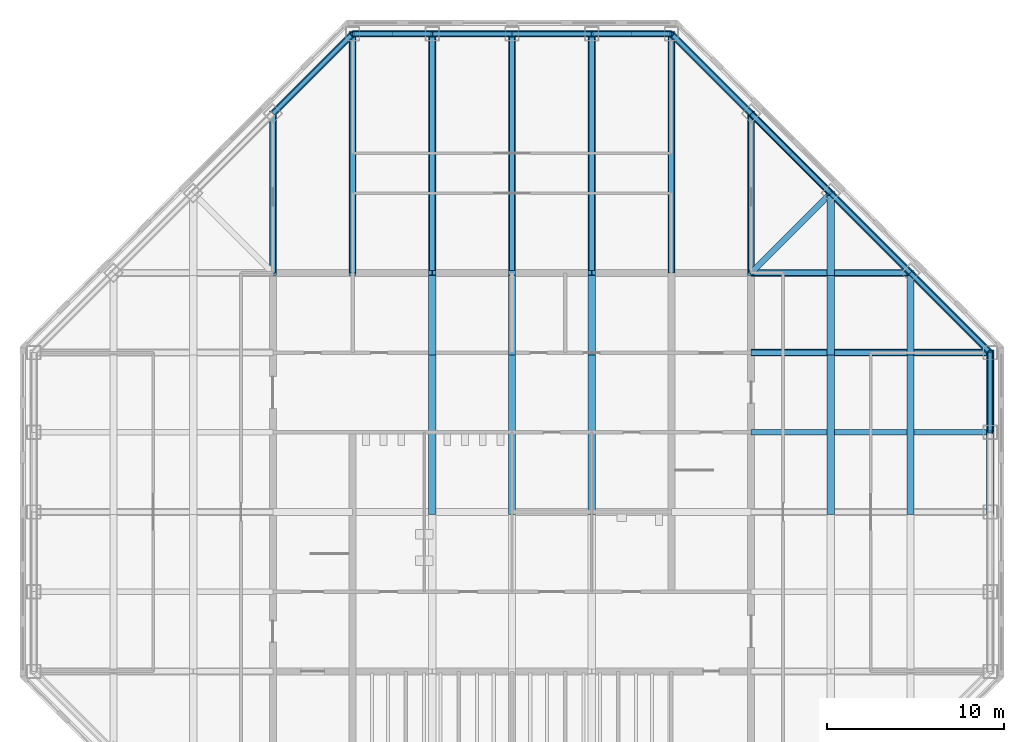
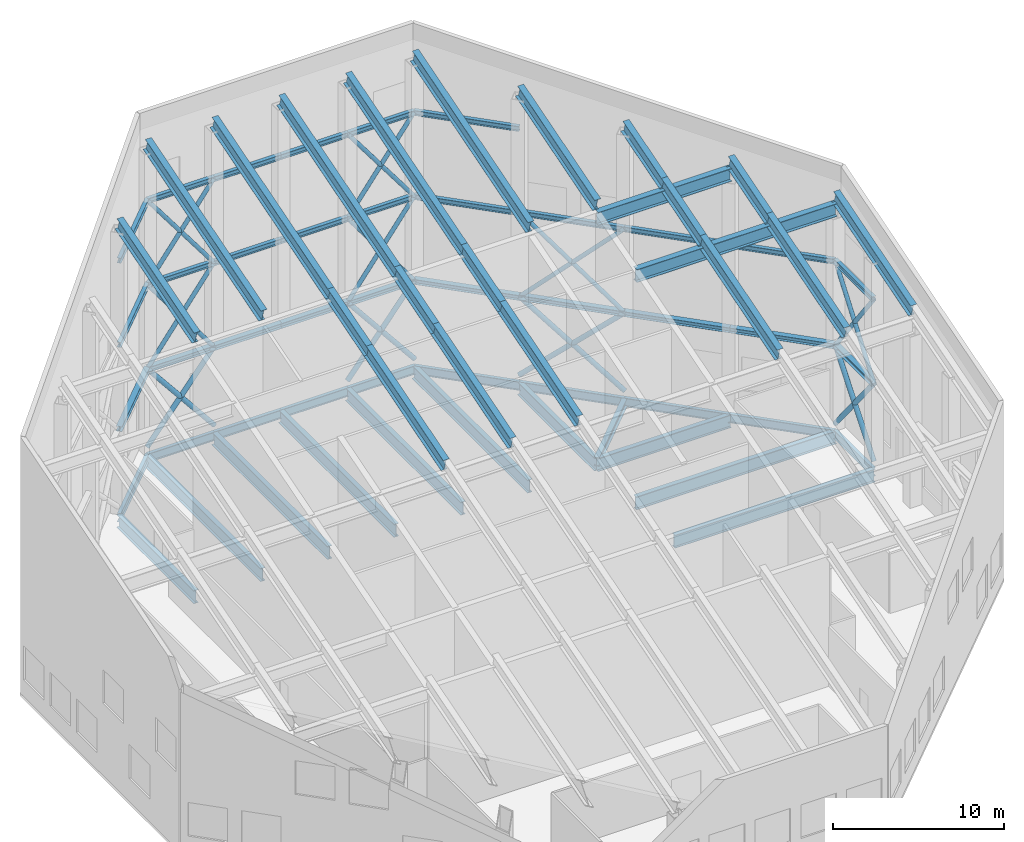
# One storey, part 3 of 10: 68 beams, 20 members.
"""IFC4 building model written with IfcOpenShell, lengths in metres."""

from ifc_helpers import new_model, si_unit, direction, frame, origin, origin_2d, place, context, subcontext, project, spatial, hollow_circle, i_section, extrude, material, material_profile, profile_set, type_object, element, save


model = new_model("IFC4")

# Units and contexts
model_context = context("Model", 3, precision=1e-05, world=origin(), true_north=direction((0.0, 1.0)))
body_context = subcontext(model_context, "Body", "Model", "MODEL_VIEW")
ifc_project = project(units=[si_unit("LENGTHUNIT", "METRE"), si_unit("AREAUNIT", "SQUARE_METRE"), si_unit("VOLUMEUNIT", "CUBIC_METRE"), si_unit("PLANEANGLEUNIT", "RADIAN"), si_unit("MASSUNIT", "GRAM", prefix="KILO")], contexts=[model_context])

# Site, building, storey
site_placement = place(None, origin())
site = spatial("IfcSite", under=ifc_project, at=site_placement, CompositionType="ELEMENT")
building_placement = place(site_placement, origin())
building = spatial("IfcBuilding", under=site, at=building_placement, Name="Corais Broadcast Tower", CompositionType="ELEMENT")
storey_placement = place(building_placement, frame((0.0, 0.0, 320.10009765625)))
storey = spatial("IfcBuildingStorey", under=building, at=storey_placement, Name="L75", CompositionType="ELEMENT", Elevation=320.10009765625)

# Beam
ifc_material_1 = material(Name="Steel ASTM A572 Grade 50", Category="steel")
ifc_material_profile_1 = material_profile(ifc_material_1, i_section(OverallWidth=0.323974609375, OverallDepth=0.611083984375, WebThickness=0.0126953125, FlangeThickness=0.01904296875, at=origin_2d()), Name="W610x155")
ifc_profile_set_1 = profile_set([ifc_material_profile_1], Name="Steel ASTM A572 Grade 50")
beam_type_1 = type_object("IfcBeamType", Name="Corner diagonal W610x155", PredefinedType="BEAM", material=ifc_profile_set_1)
beam_1_placement = place(storey_placement, frame((45.0, 45.0, -0.505615234375), z_axis=(-0.707106781187, -0.707106781187, 0.0), x_axis=(0.707106781187, -0.707106781187, 0.0)))
element("IfcBeam", 1, at=beam_1_placement, inside=storey, type_object=beam_type_1, Name="B6 L/13 to K/12", PredefinedType="BEAM", context=body_context, shape_type="SweptSolid", body=[
    extrude(i_section(OverallWidth=0.323974609375, OverallDepth=0.611083984375, WebThickness=0.0126953125, FlangeThickness=0.01904296875, at=origin_2d()), origin(), (0.0, 0.0, 1.0), 6.364013671875),
])

# Members
ifc_material_2 = material(Name="Steel S355J2H", Category="steel")
ifc_material_profile_2 = material_profile(ifc_material_2, hollow_circle(Radius=0.136474609375, WallThickness=0.010009765625, at=origin_2d()), Name="CHS 273.0x10.0")
ifc_profile_set_2 = profile_set([ifc_material_profile_2], Name="Steel S355J2H")
member_type_1 = type_object("IfcMemberType", Name="Crown brace CHS 273.0x10.0", PredefinedType="BRACE", material=ifc_profile_set_2)
for number, where, z_axis, x_axis, name in (
    (2, (45.0, 45.0, 5.822021484375), (-0.51458442751, 0.51458442751, 0.685861308086), (-0.707106781187, -0.707106781187, 0.0), "CB2 crown brace L/13"),
    (3, (40.5, 49.5, 5.822021484375), (0.51458442751, -0.51458442751, 0.685861308086), (0.707106781187, 0.707106781187, 0.0), "CB2 crown brace M/12"),
):
    element("IfcMember", number, at=place(storey_placement, frame(where, z_axis=z_axis, x_axis=x_axis)), inside=storey, type_object=member_type_1, Name=name, PredefinedType="BRACE", context=body_context, shape_type="SweptSolid", body=[
        extrude(hollow_circle(Radius=0.136474609375, WallThickness=0.010009765625, at=origin_2d()), origin(), (0.0, 0.0, 1.0), 8.744873046875),
    ])
for number, where, z_axis, x_axis, name in (
    (4, (54.0, 31.5, 5.822021484375), (0.0, 0.60014064869, 0.799894494161), (-1.0, 0.0, 0.0), "CB2 crown brace H/15"),
    (5, (54.0, 36.0, 5.822021484375), (0.0, -0.60014064869, 0.799894494161), (1.0, 0.0, 0.0), "CB2 crown brace J/15"),
    (6, (36.0, 54.0, 5.822021484375), (-0.60014064869, 0.0, 0.799894494161), (0.0, -1.0, 0.0), "CB2 crown brace N/11"),
    (7, (31.5, 54.0, 5.822021484375), (0.60014064869, 0.0, 0.799894494161), (0.0, 1.0, 0.0), "CB2 crown brace N/10"),
):
    element("IfcMember", number, at=place(storey_placement, frame(where, z_axis=z_axis, x_axis=x_axis)), inside=storey, type_object=member_type_1, Name=name, PredefinedType="BRACE", context=body_context, shape_type="SweptSolid", body=[
        extrude(hollow_circle(Radius=0.136474609375, WallThickness=0.010009765625, at=origin_2d()), origin(), (0.0, 0.0, 1.0), 7.498291015625),
    ])
for number, where, z_axis, x_axis, name in (
    (8, (36.0, 54.0, 11.81982421875), (-0.6, 0.0, 0.8), (0.0, -1.0, 0.0), "CB2 crown brace N/11"),
    (9, (31.5, 54.0, 11.81982421875), (0.6, 0.0, 0.8), (0.0, 1.0, 0.0), "CB2 crown brace N/10"),
):
    element("IfcMember", number, at=place(storey_placement, frame(where, z_axis=z_axis, x_axis=x_axis)), inside=storey, type_object=member_type_1, Name=name, PredefinedType="BRACE", context=body_context, shape_type="SweptSolid", body=[
        extrude(hollow_circle(Radius=0.136474609375, WallThickness=0.010009765625, at=origin_2d()), origin(), (0.0, 0.0, 1.0), 7.5),
    ])
for number, where, z_axis, x_axis, name in (
    (10, (22.5, 54.0, 5.822021484375), (-0.60014064869, 0.0, 0.799894494161), (0.0, -1.0, 0.0), "CB2 crown brace N/8"),
    (11, (18.0, 54.0, 5.822021484375), (0.60014064869, 0.0, 0.799894494161), (0.0, 1.0, 0.0), "CB2 crown brace N/7"),
):
    element("IfcMember", number, at=place(storey_placement, frame(where, z_axis=z_axis, x_axis=x_axis)), inside=storey, type_object=member_type_1, Name=name, PredefinedType="BRACE", context=body_context, shape_type="SweptSolid", body=[
        extrude(hollow_circle(Radius=0.136474609375, WallThickness=0.010009765625, at=origin_2d()), origin(), (0.0, 0.0, 1.0), 7.498291015625),
    ])
for number, where, z_axis, x_axis, name in (
    (12, (22.5, 54.0, 11.81982421875), (-0.6, 0.0, 0.8), (0.0, -1.0, 0.0), "CB2 crown brace N/8"),
    (13, (18.0, 54.0, 11.81982421875), (0.6, 0.0, 0.8), (0.0, 1.0, 0.0), "CB2 crown brace N/7"),
):
    element("IfcMember", number, at=place(storey_placement, frame(where, z_axis=z_axis, x_axis=x_axis)), inside=storey, type_object=member_type_1, Name=name, PredefinedType="BRACE", context=body_context, shape_type="SweptSolid", body=[
        extrude(hollow_circle(Radius=0.136474609375, WallThickness=0.010009765625, at=origin_2d()), origin(), (0.0, 0.0, 1.0), 7.5),
    ])
ifc_material_3 = material(Name="Steel S355J2H", Category="steel")
ifc_material_profile_3 = material_profile(ifc_material_3, hollow_circle(Radius=0.161865234375, WallThickness=0.012451171875, at=origin_2d()), Name="CHS 323.9x12.5")
ifc_profile_set_3 = profile_set([ifc_material_profile_3], Name="Steel S355J2H")
member_type_2 = type_object("IfcMemberType", Name="Crown brace CHS 323.9x12.5", PredefinedType="BRACE", material=ifc_profile_set_3)
for number, where, z_axis, x_axis, name in (
    (14, (45.0, 45.0, 0.25), (-0.532004755662, 0.532004755662, 0.658742650742), (-0.707106781187, -0.707106781187, 0.0), "CB1 crown brace L/13"),
    (15, (40.5, 49.5, 0.25), (0.532004755662, -0.532004755662, 0.658742650742), (0.707106781187, 0.707106781187, 0.0), "CB1 crown brace M/12"),
):
    element("IfcMember", number, at=place(storey_placement, frame(where, z_axis=z_axis, x_axis=x_axis)), inside=storey, type_object=member_type_2, Name=name, PredefinedType="BRACE", context=body_context, shape_type="SweptSolid", body=[
        extrude(hollow_circle(Radius=0.161865234375, WallThickness=0.012451171875, at=origin_2d()), origin(), (0.0, 0.0, 1.0), 8.45849609375),
    ])
for number, where, z_axis, x_axis, name in (
    (16, (54.0, 31.5, 0.25), (0.0, 0.62829664095, 0.777973862652), (-1.0, 0.0, 0.0), "CB1 crown brace H/15"),
    (17, (54.0, 36.0, 0.25), (0.0, -0.62829664095, 0.777973862652), (1.0, 0.0, 0.0), "CB1 crown brace J/15"),
    (18, (36.0, 54.0, 0.25), (-0.62829664095, 0.0, 0.777973862652), (0.0, -1.0, 0.0), "CB1 crown brace N/11"),
    (19, (31.5, 54.0, 0.25), (0.62829664095, 0.0, 0.777973862652), (0.0, 1.0, 0.0), "CB1 crown brace N/10"),
    (20, (22.5, 54.0, 0.25), (-0.62829664095, 0.0, 0.777973862652), (0.0, -1.0, 0.0), "CB1 crown brace N/8"),
    (21, (18.0, 54.0, 0.25), (0.62829664095, 0.0, 0.777973862652), (0.0, 1.0, 0.0), "CB1 crown brace N/7"),
):
    element("IfcMember", number, at=place(storey_placement, frame(where, z_axis=z_axis, x_axis=x_axis)), inside=storey, type_object=member_type_2, Name=name, PredefinedType="BRACE", context=body_context, shape_type="SweptSolid", body=[
        extrude(hollow_circle(Radius=0.161865234375, WallThickness=0.012451171875, at=origin_2d()), origin(), (0.0, 0.0, 1.0), 7.162109375),
    ])

# Beams
ifc_material_4 = material(Name="Steel ASTM A572 Grade 50", Category="steel")
ifc_material_profile_4 = material_profile(ifc_material_4, i_section(OverallWidth=0.256103515625, OverallDepth=0.360107421875, WebThickness=0.011474609375, FlangeThickness=0.02001953125, at=origin_2d()), Name="W360x110")
ifc_profile_set_4 = profile_set([ifc_material_profile_4], Name="Steel ASTM A572 Grade 50")
beam_type_2 = type_object("IfcBeamType", Name="Crown girt W360x110", PredefinedType="BEAM", material=ifc_profile_set_4)
beam_2_placement = place(storey_placement, frame((54.0, 31.5, 11.81982421875), z_axis=(0.0, 1.0, 0.0), x_axis=(-1.0, 0.0, 0.0)))
element("IfcBeam", 22, at=beam_2_placement, inside=storey, type_object=beam_type_2, Name="CG2 crown girt H/15", PredefinedType="BEAM", context=body_context, shape_type="SweptSolid", body=[
    extrude(i_section(OverallWidth=0.256103515625, OverallDepth=0.360107421875, WebThickness=0.011474609375, FlangeThickness=0.02001953125, at=origin_2d()), origin(), (0.0, 0.0, 1.0), 4.5),
])
for number, where, z_axis, x_axis, name in (
    (23, (54.0, 36.0, 11.81982421875), (-0.707106781187, 0.707106781187, 0.0), (-0.707106781187, -0.707106781187, 0.0), "CG2 crown girt J/15"),
    (24, (49.5, 40.5, 11.81982421875), (-0.707106781187, 0.707106781187, 0.0), (-0.707106781187, -0.707106781187, 0.0), "CG2 crown girt K/14"),
    (25, (45.0, 45.0, 11.81982421875), (-0.707106781187, 0.707106781187, 0.0), (-0.707106781187, -0.707106781187, 0.0), "CG2 crown girt L/13"),
    (26, (40.5, 49.5, 11.81982421875), (-0.707106781187, 0.707106781187, 0.0), (-0.707106781187, -0.707106781187, 0.0), "CG2 crown girt M/12"),
    (27, (40.5, 49.5, 17.81982421875), (-0.707106781187, 0.707106781187, 0.0), (-0.707106781187, -0.707106781187, 0.0), "CG2 crown girt M/12"),
):
    element("IfcBeam", number, at=place(storey_placement, frame(where, z_axis=z_axis, x_axis=x_axis)), inside=storey, type_object=beam_type_2, Name=name, PredefinedType="BEAM", context=body_context, shape_type="SweptSolid", body=[
        extrude(i_section(OverallWidth=0.256103515625, OverallDepth=0.360107421875, WebThickness=0.011474609375, FlangeThickness=0.02001953125, at=origin_2d()), origin(), (0.0, 0.0, 1.0), 6.364013671875),
    ])
for number, where, z_axis, x_axis, name in (
    (28, (36.0, 54.0, 11.81982421875), (-1.0, 0.0, 0.0), (0.0, -1.0, 0.0), "CG2 crown girt N/11"),
    (29, (36.0, 54.0, 17.81982421875), (-1.0, 0.0, 0.0), (0.0, -1.0, 0.0), "CG2 crown girt N/11"),
    (30, (31.5, 54.0, 11.81982421875), (-1.0, 0.0, 0.0), (0.0, -1.0, 0.0), "CG2 crown girt N/10"),
    (31, (31.5, 54.0, 17.81982421875), (-1.0, 0.0, 0.0), (0.0, -1.0, 0.0), "CG2 crown girt N/10"),
    (32, (27.0, 54.0, 11.81982421875), (-1.0, 0.0, 0.0), (0.0, -1.0, 0.0), "CG2 crown girt N/9"),
    (33, (27.0, 54.0, 17.81982421875), (-1.0, 0.0, 0.0), (0.0, -1.0, 0.0), "CG2 crown girt N/9"),
    (34, (22.5, 54.0, 11.81982421875), (-1.0, 0.0, 0.0), (0.0, -1.0, 0.0), "CG2 crown girt N/8"),
    (35, (22.5, 54.0, 17.81982421875), (-1.0, 0.0, 0.0), (0.0, -1.0, 0.0), "CG2 crown girt N/8"),
):
    element("IfcBeam", number, at=place(storey_placement, frame(where, z_axis=z_axis, x_axis=x_axis)), inside=storey, type_object=beam_type_2, Name=name, PredefinedType="BEAM", context=body_context, shape_type="SweptSolid", body=[
        extrude(i_section(OverallWidth=0.256103515625, OverallDepth=0.360107421875, WebThickness=0.011474609375, FlangeThickness=0.02001953125, at=origin_2d()), origin(), (0.0, 0.0, 1.0), 4.5),
    ])
for number, where, z_axis, x_axis, name in (
    (36, (18.0, 54.0, 11.81982421875), (-0.707106781187, -0.707106781187, 0.0), (0.707106781187, -0.707106781187, 0.0), "CG2 crown girt N/7"),
    (37, (18.0, 54.0, 17.81982421875), (-0.707106781187, -0.707106781187, 0.0), (0.707106781187, -0.707106781187, 0.0), "CG2 crown girt N/7"),
):
    element("IfcBeam", number, at=place(storey_placement, frame(where, z_axis=z_axis, x_axis=x_axis)), inside=storey, type_object=beam_type_2, Name=name, PredefinedType="BEAM", context=body_context, shape_type="SweptSolid", body=[
        extrude(i_section(OverallWidth=0.256103515625, OverallDepth=0.360107421875, WebThickness=0.011474609375, FlangeThickness=0.02001953125, at=origin_2d()), origin(), (0.0, 0.0, 1.0), 6.364013671875),
    ])
ifc_material_5 = material(Name="Steel ASTM A572 Grade 50", Category="steel")
ifc_material_profile_5 = material_profile(ifc_material_5, i_section(OverallWidth=0.368896484375, OverallDepth=0.35595703125, WebThickness=0.01123046875, FlangeThickness=0.01806640625, at=origin_2d()), Name="W360x134")
ifc_profile_set_5 = profile_set([ifc_material_profile_5], Name="Steel ASTM A572 Grade 50")
beam_type_3 = type_object("IfcBeamType", Name="Crown ring girt W360x134", PredefinedType="BEAM", material=ifc_profile_set_5)
beam_3_placement = place(storey_placement, frame((54.0, 31.5, 5.822021484375), z_axis=(0.0, 1.0, 0.0), x_axis=(-1.0, 0.0, 0.0)))
element("IfcBeam", 38, at=beam_3_placement, inside=storey, type_object=beam_type_3, Name="CG1 crown ring girt H/15", PredefinedType="BEAM", context=body_context, shape_type="SweptSolid", body=[
    extrude(i_section(OverallWidth=0.368896484375, OverallDepth=0.35595703125, WebThickness=0.01123046875, FlangeThickness=0.01806640625, at=origin_2d()), origin(), (0.0, 0.0, 1.0), 4.5),
])
for number, where, z_axis, x_axis, name in (
    (39, (54.0, 36.0, 5.822021484375), (-0.707106781187, 0.707106781187, 0.0), (-0.707106781187, -0.707106781187, 0.0), "CG1 crown ring girt J/15"),
    (40, (49.5, 40.5, 5.822021484375), (-0.707106781187, 0.707106781187, 0.0), (-0.707106781187, -0.707106781187, 0.0), "CG1 crown ring girt K/14"),
    (41, (45.0, 45.0, 5.822021484375), (-0.707106781187, 0.707106781187, 0.0), (-0.707106781187, -0.707106781187, 0.0), "CG1 crown ring girt L/13"),
    (42, (40.5, 49.5, 5.822021484375), (-0.707106781187, 0.707106781187, 0.0), (-0.707106781187, -0.707106781187, 0.0), "CG1 crown ring girt M/12"),
):
    element("IfcBeam", number, at=place(storey_placement, frame(where, z_axis=z_axis, x_axis=x_axis)), inside=storey, type_object=beam_type_3, Name=name, PredefinedType="BEAM", context=body_context, shape_type="SweptSolid", body=[
        extrude(i_section(OverallWidth=0.368896484375, OverallDepth=0.35595703125, WebThickness=0.01123046875, FlangeThickness=0.01806640625, at=origin_2d()), origin(), (0.0, 0.0, 1.0), 6.364013671875),
    ])
for number, where, z_axis, x_axis, name in (
    (43, (36.0, 54.0, 5.822021484375), (-1.0, 0.0, 0.0), (0.0, -1.0, 0.0), "CG1 crown ring girt N/11"),
    (44, (31.5, 54.0, 5.822021484375), (-1.0, 0.0, 0.0), (0.0, -1.0, 0.0), "CG1 crown ring girt N/10"),
    (45, (27.0, 54.0, 5.822021484375), (-1.0, 0.0, 0.0), (0.0, -1.0, 0.0), "CG1 crown ring girt N/9"),
    (46, (22.5, 54.0, 5.822021484375), (-1.0, 0.0, 0.0), (0.0, -1.0, 0.0), "CG1 crown ring girt N/8"),
):
    element("IfcBeam", number, at=place(storey_placement, frame(where, z_axis=z_axis, x_axis=x_axis)), inside=storey, type_object=beam_type_3, Name=name, PredefinedType="BEAM", context=body_context, shape_type="SweptSolid", body=[
        extrude(i_section(OverallWidth=0.368896484375, OverallDepth=0.35595703125, WebThickness=0.01123046875, FlangeThickness=0.01806640625, at=origin_2d()), origin(), (0.0, 0.0, 1.0), 4.5),
    ])
beam_4_placement = place(storey_placement, frame((18.0, 54.0, 5.822021484375), z_axis=(-0.707106781187, -0.707106781187, 0.0), x_axis=(0.707106781187, -0.707106781187, 0.0)))
element("IfcBeam", 47, at=beam_4_placement, inside=storey, type_object=beam_type_3, Name="CG1 crown ring girt N/7", PredefinedType="BEAM", context=body_context, shape_type="SweptSolid", body=[
    extrude(i_section(OverallWidth=0.368896484375, OverallDepth=0.35595703125, WebThickness=0.01123046875, FlangeThickness=0.01806640625, at=origin_2d()), origin(), (0.0, 0.0, 1.0), 6.364013671875),
])
ifc_material_6 = material(Name="Steel ASTM A572 Grade 50", Category="steel")
ifc_material_profile_6 = material_profile(ifc_material_6, i_section(OverallWidth=0.30908203125, OverallDepth=0.931884765625, WebThickness=0.02099609375, FlangeThickness=0.034423828125, at=origin_2d()), Name="W920x313")
ifc_profile_set_6 = profile_set([ifc_material_profile_6], Name="Steel ASTM A572 Grade 50")
beam_type_4 = type_object("IfcBeamType", Name="Plant floor beam W920x313", PredefinedType="BEAM", material=ifc_profile_set_6)
beam_5_placement = place(storey_placement, frame((13.5, 49.5, -0.666015625), z_axis=(0.0, -1.0, 0.0), x_axis=(1.0, 0.0, 0.0)))
element("IfcBeam", 48, at=beam_5_placement, inside=storey, type_object=beam_type_4, Name="B17 M/6 to K/6", PredefinedType="BEAM", context=body_context, shape_type="SweptSolid", body=[
    extrude(i_section(OverallWidth=0.30908203125, OverallDepth=0.931884765625, WebThickness=0.02099609375, FlangeThickness=0.034423828125, at=origin_2d()), origin(), (0.0, 0.0, 1.0), 9.0),
])
for number, where, z_axis, x_axis, name in (
    (49, (18.0, 54.0, -0.666015625), (0.0, -1.0, 0.0), (1.0, 0.0, 0.0), "B17 N/7 to K/7"),
    (50, (22.5, 54.0, -0.666015625), (0.0, -1.0, 0.0), (1.0, 0.0, 0.0), "B17 N/8 to K/8"),
    (51, (27.0, 54.0, -0.666015625), (0.0, -1.0, 0.0), (1.0, 0.0, 0.0), "B17 N/9 to K/9"),
    (52, (31.5, 54.0, -0.666015625), (0.0, -1.0, 0.0), (1.0, 0.0, 0.0), "B17 N/10 to K/10"),
    (53, (36.0, 54.0, -0.666015625), (0.0, -1.0, 0.0), (1.0, 0.0, 0.0), "B17 N/11 to K/11"),
):
    element("IfcBeam", number, at=place(storey_placement, frame(where, z_axis=z_axis, x_axis=x_axis)), inside=storey, type_object=beam_type_4, Name=name, PredefinedType="BEAM", context=body_context, shape_type="SweptSolid", body=[
        extrude(i_section(OverallWidth=0.30908203125, OverallDepth=0.931884765625, WebThickness=0.02099609375, FlangeThickness=0.034423828125, at=origin_2d()), origin(), (0.0, 0.0, 1.0), 13.5),
    ])
for number, where, z_axis, x_axis, name in (
    (54, (40.5, 49.5, -0.666015625), (0.0, -1.0, 0.0), (1.0, 0.0, 0.0), "B17 M/12 to K/12"),
    (55, (49.5, 40.5, -0.666015625), (-1.0, 0.0, 0.0), (0.0, -1.0, 0.0), "B17 K/14 to K/12"),
):
    element("IfcBeam", number, at=place(storey_placement, frame(where, z_axis=z_axis, x_axis=x_axis)), inside=storey, type_object=beam_type_4, Name=name, PredefinedType="BEAM", context=body_context, shape_type="SweptSolid", body=[
        extrude(i_section(OverallWidth=0.30908203125, OverallDepth=0.931884765625, WebThickness=0.02099609375, FlangeThickness=0.034423828125, at=origin_2d()), origin(), (0.0, 0.0, 1.0), 9.0),
    ])
for number, where, z_axis, x_axis, name in (
    (56, (54.0, 31.5, -0.666015625), (-1.0, 0.0, 0.0), (0.0, -1.0, 0.0), "B17 H/15 to H/12"),
    (57, (54.0, 36.0, -0.666015625), (-1.0, 0.0, 0.0), (0.0, -1.0, 0.0), "B17 J/15 to J/12"),
):
    element("IfcBeam", number, at=place(storey_placement, frame(where, z_axis=z_axis, x_axis=x_axis)), inside=storey, type_object=beam_type_4, Name=name, PredefinedType="BEAM", context=body_context, shape_type="SweptSolid", body=[
        extrude(i_section(OverallWidth=0.30908203125, OverallDepth=0.931884765625, WebThickness=0.02099609375, FlangeThickness=0.034423828125, at=origin_2d()), origin(), (0.0, 0.0, 1.0), 13.5),
    ])
ifc_material_7 = material(Name="Steel ASTM A572 Grade 50", Category="steel")
ifc_material_profile_7 = material_profile(ifc_material_7, i_section(OverallWidth=0.408935546875, OverallDepth=0.927001953125, WebThickness=0.0166015625, FlangeThickness=0.030029296875, at=origin_2d()), Name="W920x289")
ifc_profile_set_7 = profile_set([ifc_material_profile_7], Name="Steel ASTM A572 Grade 50")
beam_type_5 = type_object("IfcBeamType", Name="Rafter W920x289", PredefinedType="BEAM", material=ifc_profile_set_7)
beam_6_placement = place(storey_placement, frame((40.5, 36.0, 15.5634765625), z_axis=(1.0, 0.0, 0.0), x_axis=(0.0, 1.0, 0.0)))
element("IfcBeam", 58, at=beam_6_placement, inside=storey, type_object=beam_type_5, Name="RF1 crown girder J/12", PredefinedType="BEAM", context=body_context, shape_type="SweptSolid", body=[
    extrude(i_section(OverallWidth=0.408935546875, OverallDepth=0.927001953125, WebThickness=0.0166015625, FlangeThickness=0.030029296875, at=origin_2d()), origin(), (0.0, 0.0, 1.0), 13.5),
])
beam_7_placement = place(storey_placement, frame((40.5, 40.5, 16.91357421875), z_axis=(1.0, 0.0, 0.0), x_axis=(0.0, 1.0, 0.0)))
element("IfcBeam", 59, at=beam_7_placement, inside=storey, type_object=beam_type_5, Name="RF1 crown girder K/12", PredefinedType="BEAM", context=body_context, shape_type="SweptSolid", body=[
    extrude(i_section(OverallWidth=0.408935546875, OverallDepth=0.927001953125, WebThickness=0.0166015625, FlangeThickness=0.030029296875, at=origin_2d()), origin(), (0.0, 0.0, 1.0), 9.0),
])
beam_8_placement = place(storey_placement, frame((13.5, 40.5, 17.81591796875), z_axis=(0.0, 0.957820564104, 0.287366955268), x_axis=(-1.0, 0.0, 0.0)))
element("IfcBeam", 60, at=beam_8_placement, inside=storey, type_object=beam_type_5, Name="RF1 rafter K/6", PredefinedType="BEAM", context=body_context, shape_type="SweptSolid", body=[
    extrude(i_section(OverallWidth=0.408935546875, OverallDepth=0.927001953125, WebThickness=0.0166015625, FlangeThickness=0.030029296875, at=origin_2d()), origin(), (0.0, 0.0, 1.0), 9.396240234375),
])
beam_9_placement = place(storey_placement, frame((18.0, 40.5, 17.81591796875), z_axis=(0.0, 0.957825331723, 0.287351063874), x_axis=(-1.0, 0.0, 0.0)))
element("IfcBeam", 61, at=beam_9_placement, inside=storey, type_object=beam_type_5, Name="RF1 rafter K/7", PredefinedType="BEAM", context=body_context, shape_type="SweptSolid", body=[
    extrude(i_section(OverallWidth=0.408935546875, OverallDepth=0.927001953125, WebThickness=0.0166015625, FlangeThickness=0.030029296875, at=origin_2d()), origin(), (0.0, 0.0, 1.0), 14.094482421875),
])
beam_10_placement = place(storey_placement, frame((22.5, 27.0, 13.76611328125), z_axis=(0.0, 0.957827715452, 0.287343118088), x_axis=(-1.0, 0.0, 0.0)))
element("IfcBeam", 62, at=beam_10_placement, inside=storey, type_object=beam_type_5, Name="RF1 rafter G/8", PredefinedType="BEAM", context=body_context, shape_type="SweptSolid", body=[
    extrude(i_section(OverallWidth=0.408935546875, OverallDepth=0.927001953125, WebThickness=0.0166015625, FlangeThickness=0.030029296875, at=origin_2d()), origin(), (0.0, 0.0, 1.0), 9.396240234375),
])
beam_11_placement = place(storey_placement, frame((22.5, 36.0, 16.466064453125), z_axis=(0.0, 0.957834866313, 0.287319280374), x_axis=(-1.0, 0.0, 0.0)))
element("IfcBeam", 63, at=beam_11_placement, inside=storey, type_object=beam_type_5, Name="RF1 rafter J/8", PredefinedType="BEAM", context=body_context, shape_type="SweptSolid", body=[
    extrude(i_section(OverallWidth=0.408935546875, OverallDepth=0.927001953125, WebThickness=0.0166015625, FlangeThickness=0.030029296875, at=origin_2d()), origin(), (0.0, 0.0, 1.0), 4.697998046875),
])
beam_12_placement = place(storey_placement, frame((22.5, 40.5, 17.81591796875), z_axis=(0.0, 0.957825331723, 0.287351063874), x_axis=(-1.0, 0.0, 0.0)))
element("IfcBeam", 64, at=beam_12_placement, inside=storey, type_object=beam_type_5, Name="RF1 rafter K/8", PredefinedType="BEAM", context=body_context, shape_type="SweptSolid", body=[
    extrude(i_section(OverallWidth=0.408935546875, OverallDepth=0.927001953125, WebThickness=0.0166015625, FlangeThickness=0.030029296875, at=origin_2d()), origin(), (0.0, 0.0, 1.0), 14.094482421875),
])
beam_13_placement = place(storey_placement, frame((27.0, 27.0, 13.76611328125), z_axis=(0.0, 0.957827715452, 0.287343118088), x_axis=(-1.0, 0.0, 0.0)))
element("IfcBeam", 65, at=beam_13_placement, inside=storey, type_object=beam_type_5, Name="RF1 rafter G/9", PredefinedType="BEAM", context=body_context, shape_type="SweptSolid", body=[
    extrude(i_section(OverallWidth=0.408935546875, OverallDepth=0.927001953125, WebThickness=0.0166015625, FlangeThickness=0.030029296875, at=origin_2d()), origin(), (0.0, 0.0, 1.0), 9.396240234375),
])
beam_14_placement = place(storey_placement, frame((27.0, 36.0, 16.466064453125), z_axis=(0.0, 0.957834866313, 0.287319280374), x_axis=(-1.0, 0.0, 0.0)))
element("IfcBeam", 66, at=beam_14_placement, inside=storey, type_object=beam_type_5, Name="RF1 rafter J/9", PredefinedType="BEAM", context=body_context, shape_type="SweptSolid", body=[
    extrude(i_section(OverallWidth=0.408935546875, OverallDepth=0.927001953125, WebThickness=0.0166015625, FlangeThickness=0.030029296875, at=origin_2d()), origin(), (0.0, 0.0, 1.0), 4.697998046875),
])
beam_15_placement = place(storey_placement, frame((27.0, 40.5, 17.81591796875), z_axis=(0.0, 0.957825331723, 0.287351063874), x_axis=(-1.0, 0.0, 0.0)))
element("IfcBeam", 67, at=beam_15_placement, inside=storey, type_object=beam_type_5, Name="RF1 rafter K/9", PredefinedType="BEAM", context=body_context, shape_type="SweptSolid", body=[
    extrude(i_section(OverallWidth=0.408935546875, OverallDepth=0.927001953125, WebThickness=0.0166015625, FlangeThickness=0.030029296875, at=origin_2d()), origin(), (0.0, 0.0, 1.0), 14.094482421875),
])
beam_16_placement = place(storey_placement, frame((31.5, 27.0, 13.76611328125), z_axis=(0.0, 0.957827715452, 0.287343118088), x_axis=(-1.0, 0.0, 0.0)))
element("IfcBeam", 68, at=beam_16_placement, inside=storey, type_object=beam_type_5, Name="RF1 rafter G/10", PredefinedType="BEAM", context=body_context, shape_type="SweptSolid", body=[
    extrude(i_section(OverallWidth=0.408935546875, OverallDepth=0.927001953125, WebThickness=0.0166015625, FlangeThickness=0.030029296875, at=origin_2d()), origin(), (0.0, 0.0, 1.0), 9.396240234375),
])
beam_17_placement = place(storey_placement, frame((31.5, 36.0, 16.466064453125), z_axis=(0.0, 0.957834866313, 0.287319280374), x_axis=(-1.0, 0.0, 0.0)))
element("IfcBeam", 69, at=beam_17_placement, inside=storey, type_object=beam_type_5, Name="RF1 rafter J/10", PredefinedType="BEAM", context=body_context, shape_type="SweptSolid", body=[
    extrude(i_section(OverallWidth=0.408935546875, OverallDepth=0.927001953125, WebThickness=0.0166015625, FlangeThickness=0.030029296875, at=origin_2d()), origin(), (0.0, 0.0, 1.0), 4.697998046875),
])
for number, where, z_axis, x_axis, name in (
    (70, (31.5, 40.5, 17.81591796875), (0.0, 0.957825331723, 0.287351063874), (-1.0, 0.0, 0.0), "RF1 rafter K/10"),
    (71, (36.0, 40.5, 17.81591796875), (0.0, 0.957825331723, 0.287351063874), (-1.0, 0.0, 0.0), "RF1 rafter K/11"),
):
    element("IfcBeam", number, at=place(storey_placement, frame(where, z_axis=z_axis, x_axis=x_axis)), inside=storey, type_object=beam_type_5, Name=name, PredefinedType="BEAM", context=body_context, shape_type="SweptSolid", body=[
        extrude(i_section(OverallWidth=0.408935546875, OverallDepth=0.927001953125, WebThickness=0.0166015625, FlangeThickness=0.030029296875, at=origin_2d()), origin(), (0.0, 0.0, 1.0), 14.094482421875),
    ])
for number, where, z_axis, x_axis, name in (
    (72, (40.5, 40.5, 17.81591796875), (0.0, 0.957820564104, 0.287366955268), (-1.0, 0.0, 0.0), "RF1 rafter K/12"),
    (73, (45.0, 27.0, 13.76611328125), (0.0, 0.957827715452, 0.287343118088), (-1.0, 0.0, 0.0), "RF1 rafter G/13"),
):
    element("IfcBeam", number, at=place(storey_placement, frame(where, z_axis=z_axis, x_axis=x_axis)), inside=storey, type_object=beam_type_5, Name=name, PredefinedType="BEAM", context=body_context, shape_type="SweptSolid", body=[
        extrude(i_section(OverallWidth=0.408935546875, OverallDepth=0.927001953125, WebThickness=0.0166015625, FlangeThickness=0.030029296875, at=origin_2d()), origin(), (0.0, 0.0, 1.0), 9.396240234375),
    ])
beam_18_placement = place(storey_placement, frame((45.0, 36.0, 16.466064453125), z_axis=(0.0, 0.957834866313, 0.287319280374), x_axis=(-1.0, 0.0, 0.0)))
element("IfcBeam", 74, at=beam_18_placement, inside=storey, type_object=beam_type_5, Name="RF1 rafter J/13", PredefinedType="BEAM", context=body_context, shape_type="SweptSolid", body=[
    extrude(i_section(OverallWidth=0.408935546875, OverallDepth=0.927001953125, WebThickness=0.0166015625, FlangeThickness=0.030029296875, at=origin_2d()), origin(), (0.0, 0.0, 1.0), 4.697998046875),
])
beam_19_placement = place(storey_placement, frame((45.0, 40.5, 17.81591796875), z_axis=(0.0, 0.957820564104, 0.287366955268), x_axis=(-1.0, 0.0, 0.0)))
element("IfcBeam", 75, at=beam_19_placement, inside=storey, type_object=beam_type_5, Name="RF1 rafter K/13", PredefinedType="BEAM", context=body_context, shape_type="SweptSolid", body=[
    extrude(i_section(OverallWidth=0.408935546875, OverallDepth=0.927001953125, WebThickness=0.0166015625, FlangeThickness=0.030029296875, at=origin_2d()), origin(), (0.0, 0.0, 1.0), 4.6982421875),
])
beam_20_placement = place(storey_placement, frame((49.5, 27.0, 13.76611328125), z_axis=(0.0, 0.957827715452, 0.287343118088), x_axis=(-1.0, 0.0, 0.0)))
element("IfcBeam", 76, at=beam_20_placement, inside=storey, type_object=beam_type_5, Name="RF1 rafter G/14", PredefinedType="BEAM", context=body_context, shape_type="SweptSolid", body=[
    extrude(i_section(OverallWidth=0.408935546875, OverallDepth=0.927001953125, WebThickness=0.0166015625, FlangeThickness=0.030029296875, at=origin_2d()), origin(), (0.0, 0.0, 1.0), 9.396240234375),
])
beam_21_placement = place(storey_placement, frame((49.5, 36.0, 16.466064453125), z_axis=(0.0, 0.957834866313, 0.287319280374), x_axis=(-1.0, 0.0, 0.0)))
element("IfcBeam", 77, at=beam_21_placement, inside=storey, type_object=beam_type_5, Name="RF1 rafter J/14", PredefinedType="BEAM", context=body_context, shape_type="SweptSolid", body=[
    extrude(i_section(OverallWidth=0.408935546875, OverallDepth=0.927001953125, WebThickness=0.0166015625, FlangeThickness=0.030029296875, at=origin_2d()), origin(), (0.0, 0.0, 1.0), 4.697998046875),
])
beam_22_placement = place(storey_placement, frame((54.0, 27.0, 13.76611328125), z_axis=(0.0, 0.957827715452, 0.287343118088), x_axis=(-1.0, 0.0, 0.0)))
element("IfcBeam", 78, at=beam_22_placement, inside=storey, type_object=beam_type_5, Name="RF1 rafter G/15", PredefinedType="BEAM", context=body_context, shape_type="SweptSolid", body=[
    extrude(i_section(OverallWidth=0.408935546875, OverallDepth=0.927001953125, WebThickness=0.0166015625, FlangeThickness=0.030029296875, at=origin_2d()), origin(), (0.0, 0.0, 1.0), 9.396240234375),
])
ifc_material_8 = material(Name="Steel ASTM A572 Grade 50", Category="steel")
ifc_material_profile_8 = material_profile(ifc_material_8, i_section(OverallWidth=0.22998046875, OverallDepth=0.616943359375, WebThickness=0.01318359375, FlangeThickness=0.022216796875, at=origin_2d()), Name="W610x140")
ifc_profile_set_8 = profile_set([ifc_material_profile_8], Name="Steel ASTM A572 Grade 50")
beam_type_6 = type_object("IfcBeamType", Name="Spandrel W610x140", PredefinedType="BEAM", material=ifc_profile_set_8)
beam_23_placement = place(storey_placement, frame((18.0, 54.0, -0.508544921875), z_axis=(-0.707106781187, -0.707106781187, 0.0), x_axis=(0.707106781187, -0.707106781187, 0.0)))
element("IfcBeam", 79, at=beam_23_placement, inside=storey, type_object=beam_type_6, Name="SB3 N/7 to M/6", PredefinedType="BEAM", context=body_context, shape_type="SweptSolid", body=[
    extrude(i_section(OverallWidth=0.22998046875, OverallDepth=0.616943359375, WebThickness=0.01318359375, FlangeThickness=0.022216796875, at=origin_2d()), origin(), (0.0, 0.0, 1.0), 6.364013671875),
])
for number, where, z_axis, x_axis, name in (
    (80, (22.5, 54.0, -0.508544921875), (-1.0, 0.0, 0.0), (0.0, -1.0, 0.0), "SB3 N/8 to N/7"),
    (81, (27.0, 54.0, -0.508544921875), (-1.0, 0.0, 0.0), (0.0, -1.0, 0.0), "SB3 N/9 to N/8"),
    (82, (31.5, 54.0, -0.508544921875), (-1.0, 0.0, 0.0), (0.0, -1.0, 0.0), "SB3 N/10 to N/9"),
    (83, (36.0, 54.0, -0.508544921875), (-1.0, 0.0, 0.0), (0.0, -1.0, 0.0), "SB3 N/11 to N/10"),
):
    element("IfcBeam", number, at=place(storey_placement, frame(where, z_axis=z_axis, x_axis=x_axis)), inside=storey, type_object=beam_type_6, Name=name, PredefinedType="BEAM", context=body_context, shape_type="SweptSolid", body=[
        extrude(i_section(OverallWidth=0.22998046875, OverallDepth=0.616943359375, WebThickness=0.01318359375, FlangeThickness=0.022216796875, at=origin_2d()), origin(), (0.0, 0.0, 1.0), 4.5),
    ])
for number, where, z_axis, x_axis, name in (
    (84, (40.5, 49.5, -0.508544921875), (-0.707106781187, 0.707106781187, 0.0), (-0.707106781187, -0.707106781187, 0.0), "SB3 M/12 to N/11"),
    (85, (45.0, 45.0, -0.508544921875), (-0.707106781187, 0.707106781187, 0.0), (-0.707106781187, -0.707106781187, 0.0), "SB3 L/13 to M/12"),
    (86, (49.5, 40.5, -0.508544921875), (-0.707106781187, 0.707106781187, 0.0), (-0.707106781187, -0.707106781187, 0.0), "SB3 K/14 to L/13"),
):
    element("IfcBeam", number, at=place(storey_placement, frame(where, z_axis=z_axis, x_axis=x_axis)), inside=storey, type_object=beam_type_6, Name=name, PredefinedType="BEAM", context=body_context, shape_type="SweptSolid", body=[
        extrude(i_section(OverallWidth=0.22998046875, OverallDepth=0.616943359375, WebThickness=0.01318359375, FlangeThickness=0.022216796875, at=origin_2d()), origin(), (0.0, 0.0, 1.0), 6.364013671875),
    ])
beam_24_placement = place(storey_placement, frame((54.0, 31.5, -0.508544921875), z_axis=(0.0, 1.0, 0.0), x_axis=(-1.0, 0.0, 0.0)))
element("IfcBeam", 87, at=beam_24_placement, inside=storey, type_object=beam_type_6, Name="SB3 H/15 to J/15", PredefinedType="BEAM", context=body_context, shape_type="SweptSolid", body=[
    extrude(i_section(OverallWidth=0.22998046875, OverallDepth=0.616943359375, WebThickness=0.01318359375, FlangeThickness=0.022216796875, at=origin_2d()), origin(), (0.0, 0.0, 1.0), 4.5),
])
beam_25_placement = place(storey_placement, frame((54.0, 36.0, -0.508544921875), z_axis=(-0.707106781187, 0.707106781187, 0.0), x_axis=(-0.707106781187, -0.707106781187, 0.0)))
element("IfcBeam", 88, at=beam_25_placement, inside=storey, type_object=beam_type_6, Name="SB3 J/15 to K/14", PredefinedType="BEAM", context=body_context, shape_type="SweptSolid", body=[
    extrude(i_section(OverallWidth=0.22998046875, OverallDepth=0.616943359375, WebThickness=0.01318359375, FlangeThickness=0.022216796875, at=origin_2d()), origin(), (0.0, 0.0, 1.0), 6.364013671875),
])

save(model, "model.ifc")
